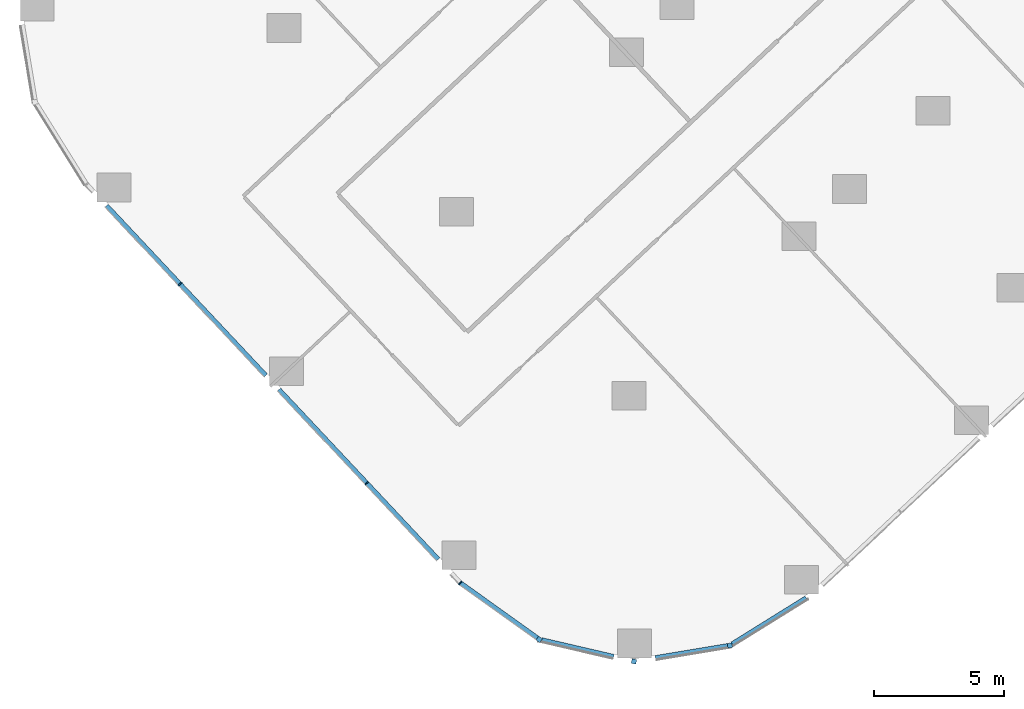
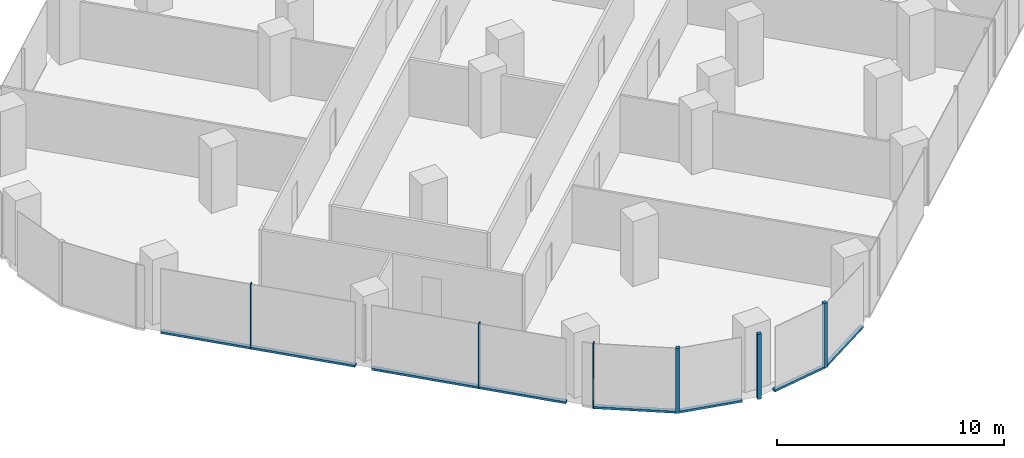
# One storey, part 2 of 34: 12 members, 5 elements without a shape of their own.
"""IFC4 building model written with IfcOpenShell, lengths in metres."""

import ifcopenshell
import ifcopenshell.guid

model = None  # the IFC model being written
_history = None  # IfcOwnerHistory: only IFC2X3 demands one
_inside = {}  # id of a spatial element -> (the spatial element, [elements in it])
_under = {}  # id of a project, library or spatial element -> (it, [spatial elements below it])
_declared = {}  # id of a project -> (the project, [libraries it declares])
_typed = {}  # id of a type object -> (the type object, [elements of that type])
_made_of = {}  # id of a material, layer set ... -> (it, [elements and type objects made of it])


def new_model(schema):
    """Start an empty IFC model of exactly this schema.

    Asked for "IFC4X3", IfcOpenShell would pick the latest addendum, in which some entities
    have other attributes; the version numbers below select the first issue.
    IFC2X3 requires an IfcOwnerHistory on every rooted entity: one is made here for all.
    """
    global model, _history
    if schema == "IFC4X3":
        model = ifcopenshell.file(schema_version=(4, 3, 0, 0))
    else:
        model = ifcopenshell.file(schema=schema)
    _inside.clear()
    _under.clear()
    _declared.clear()
    _typed.clear()
    _made_of.clear()
    _history = None
    if model.schema == "IFC2X3":
        org = make("IfcOrganization", Name="unknown")
        user = make(
            "IfcPersonAndOrganization",
            ThePerson=make("IfcPerson", FamilyName="unknown"),
            TheOrganization=org,
        )
        app = make(
            "IfcApplication",
            ApplicationDeveloper=org,
            Version="unknown",
            ApplicationFullName="unknown",
            ApplicationIdentifier="unknown",
        )
        _history = make(
            "IfcOwnerHistory",
            OwningUser=user,
            OwningApplication=app,
            ChangeAction="ADDED",
            CreationDate=0,
        )
    return model


def make(cls, **values):
    """One entity of the class cls with the attributes given. An attribute that is None is left unset."""
    return model.create_entity(
        cls, **{name: value for name, value in values.items() if value is not None}
    )


def rooted(cls, **values):
    """An entity with a GlobalId (a new one), such as an element, a storey or a relation."""
    return make(cls, GlobalId=ifcopenshell.guid.new(), OwnerHistory=_history, **values)


def si_unit(unit_type, name, prefix=None):
    """IfcSIUnit, for example si_unit("LENGTHUNIT", "METRE", prefix="MILLI")."""
    return make("IfcSIUnit", UnitType=unit_type, Prefix=prefix, Name=name)


def assignment(units):
    """IfcUnitAssignment: the units of a project."""
    return None if units is None else make("IfcUnitAssignment", Units=units)


def point(xyz):
    """IfcCartesianPoint."""
    return None if xyz is None else make("IfcCartesianPoint", Coordinates=xyz)


def direction(xyz):
    """IfcDirection."""
    return None if xyz is None else make("IfcDirection", DirectionRatios=xyz)


def frame(location, z_axis=None, x_axis=None):
    """IfcAxis2Placement3D, a coordinate frame: its origin and axes. An axis left out is left unset."""
    return make(
        "IfcAxis2Placement3D",
        Location=point(location),
        Axis=direction(z_axis),
        RefDirection=direction(x_axis),
    )


def frame_2d(location, x_axis=None):
    """IfcAxis2Placement2D, a coordinate frame in the plane: its origin and x axis."""
    return make(
        "IfcAxis2Placement2D", Location=point(location), RefDirection=direction(x_axis)
    )


def origin():
    """The frame at (0, 0, 0) with its axes left unset."""
    return frame((0.0, 0.0, 0.0))


def origin_2d():
    """The frame at (0, 0) in the plane with its x axis left unset."""
    return frame_2d((0.0, 0.0))


def place(relative_to, where):
    """IfcLocalPlacement: puts the frame where relative to a parent placement (None: the world)."""
    return make(
        "IfcLocalPlacement", PlacementRelTo=relative_to, RelativePlacement=where
    )


def context(
    kind, dimensions, precision=None, world=None, true_north=None, identifier=None
):
    """IfcGeometricRepresentationContext, for example the 3D "Model" context."""
    return make(
        "IfcGeometricRepresentationContext",
        ContextIdentifier=identifier,
        ContextType=kind,
        CoordinateSpaceDimension=dimensions,
        Precision=precision,
        WorldCoordinateSystem=world,
        TrueNorth=true_north,
    )


def subcontext(parent, identifier, kind, view, scale=None):
    """IfcGeometricRepresentationSubContext, for example "Body" below "Model"."""
    return make(
        "IfcGeometricRepresentationSubContext",
        ContextIdentifier=identifier,
        ContextType=kind,
        ParentContext=parent,
        TargetScale=scale,
        TargetView=view,
    )


def project(units=None, contexts=None):
    """IfcProject with its units and contexts."""
    return rooted(
        "IfcProject",
        Name="project",
        RepresentationContexts=contexts,
        UnitsInContext=assignment(units),
    )


def spatial(cls, under=None, at=None, **own):
    """A site, building, storey or space (cls), placed at a placement, below another one or the project."""
    s = rooted(cls, ObjectPlacement=at, **own)
    if under is not None:
        _under.setdefault(under.id(), (under, []))[1].append(s)
    return s


def profile(cls, at=None, kind="AREA", **sizes):
    """A parametric profile (cls). Its sizes go by their IFC names, for example OverallWidth=200.0."""
    return make(cls, ProfileType=kind, Position=at, **sizes)


def rectangle(**sizes):
    """IfcRectangleProfileDef."""
    return profile("IfcRectangleProfileDef", **sizes)


def extrude(swept, where, along, depth):
    """IfcExtrudedAreaSolid: the profile swept, set in the frame where, extruded along a direction by depth."""
    return make(
        "IfcExtrudedAreaSolid",
        SweptArea=swept,
        Position=where,
        ExtrudedDirection=direction(along),
        Depth=depth,
    )


def shape(context_of_items, identifier, shape_type, items):
    """IfcShapeRepresentation: the items that make up one representation, for example the "Body"."""
    return make(
        "IfcShapeRepresentation",
        ContextOfItems=context_of_items,
        RepresentationIdentifier=identifier,
        RepresentationType=shape_type,
        Items=items,
    )


def material(Name=None, Category=None):
    """IfcMaterial."""
    return make("IfcMaterial", Name=Name, Category=Category)


def material_profile(
    of_material, cross_section, Name=None, Category=None, Priority=None
):
    """IfcMaterialProfile: a cross section and its material."""
    return make(
        "IfcMaterialProfile",
        Name=Name,
        Material=of_material,
        Profile=cross_section,
        Priority=Priority,
        Category=Category,
    )


def profile_set(profiles, Name=None, composite=None):
    """IfcMaterialProfileSet."""
    return make(
        "IfcMaterialProfileSet",
        Name=Name,
        MaterialProfiles=profiles,
        CompositeProfile=composite,
    )


def made_of(thing, what):
    """Note that an element or type object is made of a material, layer set ...; save() writes the relation."""
    if what is not None:
        _made_of.setdefault(what.id(), (what, []))[1].append(thing)
    return thing


def type_object(cls, material=None, **own):
    """A type object (cls), such as IfcWallType, which elements share."""
    return made_of(rooted(cls, **own), material)


def element(
    cls,
    number,
    at=None,
    inside=None,
    cuts=None,
    type_object=None,
    material=None,
    context=None,
    identifier="Body",
    shape_type=None,
    held_by="IfcProductDefinitionShape",
    body=None,
    shapes=None,
    **own,
):
    """One element of the class cls, such as IfcWall. Its Tag is "e" and its number.

    at: its placement. inside: the storey or other place that contains it. cuts: it is an
    opening in that element (IfcRelVoidsElement). A single representation is given by context,
    identifier, shape_type and body (its items); several are given by shapes. held_by: the class
    of the entity that holds the representations. save() writes the other relations.
    """
    e = rooted(cls, Tag="e%d" % number, ObjectPlacement=at, **own)
    if body is not None:
        shapes = [shape(context, identifier, shape_type, body)]
    if shapes is not None:
        e.Representation = make(held_by, Representations=shapes)
    if inside is not None:
        _inside.setdefault(inside.id(), (inside, []))[1].append(e)
    if cuts is not None:
        rooted(
            "IfcRelVoidsElement", RelatingBuildingElement=cuts, RelatedOpeningElement=e
        )
    if type_object is not None:
        _typed.setdefault(type_object.id(), (type_object, []))[1].append(e)
    return made_of(e, material)


def aggregate(whole, parts):
    """IfcRelAggregates: a whole, such as a stair, and the parts it consists of."""
    return rooted("IfcRelAggregates", RelatingObject=whole, RelatedObjects=parts)


def save(model, path):
    """Write the relations noted so far, then the file.

    IfcRelAggregates (storeys below a building ...), IfcRelContainedInSpatialStructure (elements
    in a storey), IfcRelDefinesByType, IfcRelAssociatesMaterial and IfcRelDeclares: one each for
    every whole, place, type object, material and project.
    """
    for whole, parts in _under.values():
        aggregate(whole, parts)
    for where, things in _inside.values():
        rooted(
            "IfcRelContainedInSpatialStructure",
            RelatedElements=things,
            RelatingStructure=where,
        )
    for kind, things in _typed.values():
        rooted("IfcRelDefinesByType", RelatedObjects=things, RelatingType=kind)
    for what, things in _made_of.values():
        rooted("IfcRelAssociatesMaterial", RelatedObjects=things, RelatingMaterial=what)
    for by, libraries in _declared.values():
        rooted("IfcRelDeclares", RelatingContext=by, RelatedDefinitions=libraries)
    model.write(path)


model = new_model("IFC4")

# Units and contexts
model_context = context("Model", 3, precision=1e-05, world=origin(), true_north=direction((0.0, 1.0)))
body_context = subcontext(model_context, "Body", "Model", "MODEL_VIEW")
ifc_project = project(units=[si_unit("LENGTHUNIT", "METRE"), si_unit("AREAUNIT", "SQUARE_METRE"), si_unit("VOLUMEUNIT", "CUBIC_METRE"), si_unit("PLANEANGLEUNIT", "RADIAN"), si_unit("MASSUNIT", "GRAM", prefix="KILO")], contexts=[model_context])

# Site, building, storey
site_placement = place(None, origin())
site = spatial("IfcSite", under=ifc_project, at=site_placement, CompositionType="ELEMENT")
building_placement = place(site_placement, origin())
building = spatial("IfcBuilding", under=site, at=building_placement, Name="Orlundy Tower", CompositionType="ELEMENT")
storey_placement = place(building_placement, frame((0.0, 0.0, 40.800048828125)))
storey = spatial("IfcBuildingStorey", under=building, at=storey_placement, Name="L08", CompositionType="ELEMENT", Elevation=40.800048828125)

# Curtain wall, member
ifc_material_1 = material(Name="Aluminium bronze anodised", Category="aluminium")
curtain_wall_type = type_object("IfcCurtainWallType", Name="CW1 wall", PredefinedType="NOTDEFINED", material=ifc_material_1)
curtain_wall_1_placement = place(storey_placement, origin())
curtain_wall_1 = element("IfcCurtainWall", 1, at=curtain_wall_1_placement, inside=storey, type_object=curtain_wall_type, Name="CW1 run 020", PredefinedType="NOTDEFINED")
ifc_material_2 = material(Name="Aluminium bronze anodised", Category="aluminium")
ifc_material_profile_1 = material_profile(ifc_material_2, rectangle(XDim=0.179931640625, YDim=0.179931640625, at=origin_2d()), Name="CW1 corner post 180x180")
ifc_profile_set_1 = profile_set([ifc_material_profile_1], Name="Aluminium bronze anodised")
member_type_1 = type_object("IfcMemberType", Name="CW1 corner post 180x180", PredefinedType="MULLION", material=ifc_profile_set_1)
member_1_placement = place(storey_placement, frame((-26.629638671875, -51.52294921875, -0.420166015625), z_axis=(0.0, 0.0, 1.0), x_axis=(0.163786370223, -0.986495831177, 0.0)))
member_1 = element("IfcMember", 2, at=member_1_placement, type_object=member_type_1, Name="CW1 mullion 58", PredefinedType="MULLION", context=body_context, shape_type="SweptSolid", body=[
    extrude(rectangle(XDim=0.179931640625, YDim=0.179931640625, at=origin_2d()), origin(), (0.0, 0.0, 1.0), 3.5),
])

curtain_wall_2_placement = place(storey_placement, origin())
curtain_wall_2 = element("IfcCurtainWall", 3, at=curtain_wall_2_placement, inside=storey, type_object=curtain_wall_type, Name="CW1 run 021", PredefinedType="NOTDEFINED")
member_2_placement = place(storey_placement, frame((-30.321044921875, -52.1357421875, -0.420166015625), z_axis=(0.0, 0.0, 1.0), x_axis=(-0.226317097073, -0.974053680026, 0.0)))
member_2 = element("IfcMember", 4, at=member_2_placement, type_object=member_type_1, Name="CW1 mullion 59", PredefinedType="MULLION", context=body_context, shape_type="SweptSolid", body=[
    extrude(rectangle(XDim=0.179931640625, YDim=0.179931640625, at=origin_2d()), origin(), (0.0, 0.0, 1.0), 3.5),
])

curtain_wall_3_placement = place(storey_placement, origin())
curtain_wall_3 = element("IfcCurtainWall", 5, at=curtain_wall_3_placement, inside=storey, type_object=curtain_wall_type, Name="CW1 run 022", PredefinedType="NOTDEFINED")
member_3_placement = place(storey_placement, frame((-33.966796875, -51.28857421875, -0.420166015625), z_axis=(0.0, 0.0, 1.0), x_axis=(-0.58197810512, -0.813204454711, 0.0)))
member_3 = element("IfcMember", 6, at=member_3_placement, type_object=member_type_1, Name="CW1 mullion 60", PredefinedType="MULLION", context=body_context, shape_type="SweptSolid", body=[
    extrude(rectangle(XDim=0.179931640625, YDim=0.179931640625, at=origin_2d()), origin(), (0.0, 0.0, 1.0), 3.5),
])

# Curtain wall, members
curtain_wall_4_placement = place(storey_placement, origin())
curtain_wall_4 = element("IfcCurtainWall", 7, at=curtain_wall_4_placement, inside=storey, type_object=curtain_wall_type, Name="CW1 run 023", PredefinedType="NOTDEFINED")
ifc_material_3 = material(Name="Aluminium bronze anodised", Category="aluminium")
ifc_material_profile_2 = material_profile(ifc_material_3, rectangle(XDim=0.179931640625, YDim=0.050048828125, at=origin_2d()), Name="CW1 mullion 50x180")
ifc_profile_set_2 = profile_set([ifc_material_profile_2], Name="Aluminium bronze anodised")
member_type_2 = type_object("IfcMemberType", Name="CW1 mullion 50x180", PredefinedType="MULLION", material=ifc_profile_set_2)
member_4_placement = place(storey_placement, frame((-37.002685546875, -49.115966796875, -0.420166015625), z_axis=(0.0, 0.0, 1.0), x_axis=(-0.658839468913, -0.752283559705, 0.0)))
member_4 = element("IfcMember", 8, at=member_4_placement, type_object=member_type_2, Name="CW1 mullion 61", PredefinedType="MULLION", context=body_context, shape_type="SweptSolid", body=[
    extrude(rectangle(XDim=0.179931640625, YDim=0.050048828125, at=origin_2d()), origin(), (0.0, 0.0, 1.0), 3.5),
])
member_5_placement = place(storey_placement, frame((-40.600341796875, -45.2802734375, -0.420166015625), z_axis=(0.0, 0.0, 1.0), x_axis=(-0.729363439598, -0.684126430551, 0.0)))
member_5 = element("IfcMember", 9, at=member_5_placement, type_object=member_type_2, Name="CW1 mullion 62", PredefinedType="MULLION", context=body_context, shape_type="SweptSolid", body=[
    extrude(rectangle(XDim=0.179931640625, YDim=0.050048828125, at=origin_2d()), origin(), (0.0, 0.0, 1.0), 3.5),
])
member_6_placement = place(storey_placement, frame((-47.783935546875, -37.621826171875, -0.420166015625), z_axis=(0.0, 0.0, 1.0), x_axis=(-0.729363439598, -0.684126430551, 0.0)))
member_6 = element("IfcMember", 10, at=member_6_placement, type_object=member_type_2, Name="CW1 mullion 64", PredefinedType="MULLION", context=body_context, shape_type="SweptSolid", body=[
    extrude(rectangle(XDim=0.179931640625, YDim=0.050048828125, at=origin_2d()), origin(), (0.0, 0.0, 1.0), 3.5),
])

# Curtain wall, member
curtain_wall_5_placement = place(storey_placement, origin())
curtain_wall_5 = element("IfcCurtainWall", 11, at=curtain_wall_5_placement, inside=storey, type_object=curtain_wall_type, Name="CW1 run 019", PredefinedType="NOTDEFINED")
ifc_material_4 = material(Name="Aluminium bronze anodised", Category="aluminium")
ifc_material_profile_3 = material_profile(ifc_material_4, rectangle(XDim=0.179931640625, YDim=0.1201171875, at=origin_2d()), Name="CW1 transom 180x120")
ifc_profile_set_3 = profile_set([ifc_material_profile_3], Name="Aluminium bronze anodised")
member_type_3 = type_object("IfcMemberType", Name="CW1 transom 180x120", PredefinedType="USERDEFINED", material=ifc_profile_set_3)
member_7_placement = place(storey_placement, frame((-23.691650390625, -49.694091796875, -0.360107421875), z_axis=(-0.848955285955, -0.528464684203, 0.0), x_axis=(0.528464684203, -0.848955285955, 0.0)))
member_7 = element("IfcMember", 12, at=member_7_placement, type_object=member_type_3, Name="CW1 transom", ObjectType="TRANSOM", PredefinedType="USERDEFINED", context=body_context, shape_type="SweptSolid", body=[
    extrude(rectangle(XDim=0.179931640625, YDim=0.1201171875, at=origin_2d()), origin(), (0.0, 0.0, 1.0), 3.36328125),
])
aggregate(curtain_wall_5, [member_7])

# Member
member_8_placement = place(storey_placement, frame((-26.718505859375, -51.53759765625, -0.360107421875), z_axis=(-0.986494403283, -0.163794970288, 0.0), x_axis=(0.163794970288, -0.986494403283, 0.0)))
member_8 = element("IfcMember", 13, at=member_8_placement, type_object=member_type_3, Name="CW1 transom", ObjectType="TRANSOM", PredefinedType="USERDEFINED", context=body_context, shape_type="SweptSolid", body=[
    extrude(rectangle(XDim=0.179931640625, YDim=0.1201171875, at=origin_2d()), origin(), (0.0, 0.0, 1.0), 2.818603515625),
])

aggregate(curtain_wall_1, [member_1, member_8])

member_9_placement = place(storey_placement, frame((-31.09912109375, -51.954833984375, -0.360107421875), z_axis=(-0.974048936102, 0.226337513637, 0.0), x_axis=(-0.226337513637, -0.974048936102, 0.0)))
member_9 = element("IfcMember", 14, at=member_9_placement, type_object=member_type_3, Name="CW1 transom", ObjectType="TRANSOM", PredefinedType="USERDEFINED", context=body_context, shape_type="SweptSolid", body=[
    extrude(rectangle(XDim=0.179931640625, YDim=0.1201171875, at=origin_2d()), origin(), (0.0, 0.0, 1.0), 2.8466796875),
])

aggregate(curtain_wall_2, [member_2, member_9])

member_10_placement = place(storey_placement, frame((-34.0400390625, -51.236328125, -0.360107421875), z_axis=(-0.813185985987, 0.582003910807, 0.0), x_axis=(-0.582003910807, -0.813185985987, 0.0)))
member_10 = element("IfcMember", 15, at=member_10_placement, type_object=member_type_3, Name="CW1 transom", ObjectType="TRANSOM", PredefinedType="USERDEFINED", context=body_context, shape_type="SweptSolid", body=[
    extrude(rectangle(XDim=0.179931640625, YDim=0.1201171875, at=origin_2d()), origin(), (0.0, 0.0, 1.0), 3.617919921875),
])

aggregate(curtain_wall_3, [member_3, member_10])

member_11_placement = place(storey_placement, frame((-37.85302734375, -48.20947265625, -0.360107421875), z_axis=(-0.684112537664, 0.729376470563, 0.0), x_axis=(-0.729376470563, -0.684112537664, 0.0)))
member_11 = element("IfcMember", 16, at=member_11_placement, type_object=member_type_3, Name="CW1 transom", ObjectType="TRANSOM", PredefinedType="USERDEFINED", context=body_context, shape_type="SweptSolid", body=[
    extrude(rectangle(XDim=0.179931640625, YDim=0.1201171875, at=origin_2d()), origin(), (0.0, 0.0, 1.0), 8.95361328125),
])

member_12_placement = place(storey_placement, frame((-44.489013671875, -41.134521484375, -0.360107421875), z_axis=(-0.684127043259, 0.729362864891, 0.0), x_axis=(-0.729362864891, -0.684127043259, 0.0)))
member_12 = element("IfcMember", 17, at=member_12_placement, type_object=member_type_3, Name="CW1 transom", ObjectType="TRANSOM", PredefinedType="USERDEFINED", context=body_context, shape_type="SweptSolid", body=[
    extrude(rectangle(XDim=0.179931640625, YDim=0.1201171875, at=origin_2d()), origin(), (0.0, 0.0, 1.0), 8.95361328125),
])

aggregate(curtain_wall_4, [member_4, member_5, member_6, member_11, member_12])

save(model, "model.ifc")
